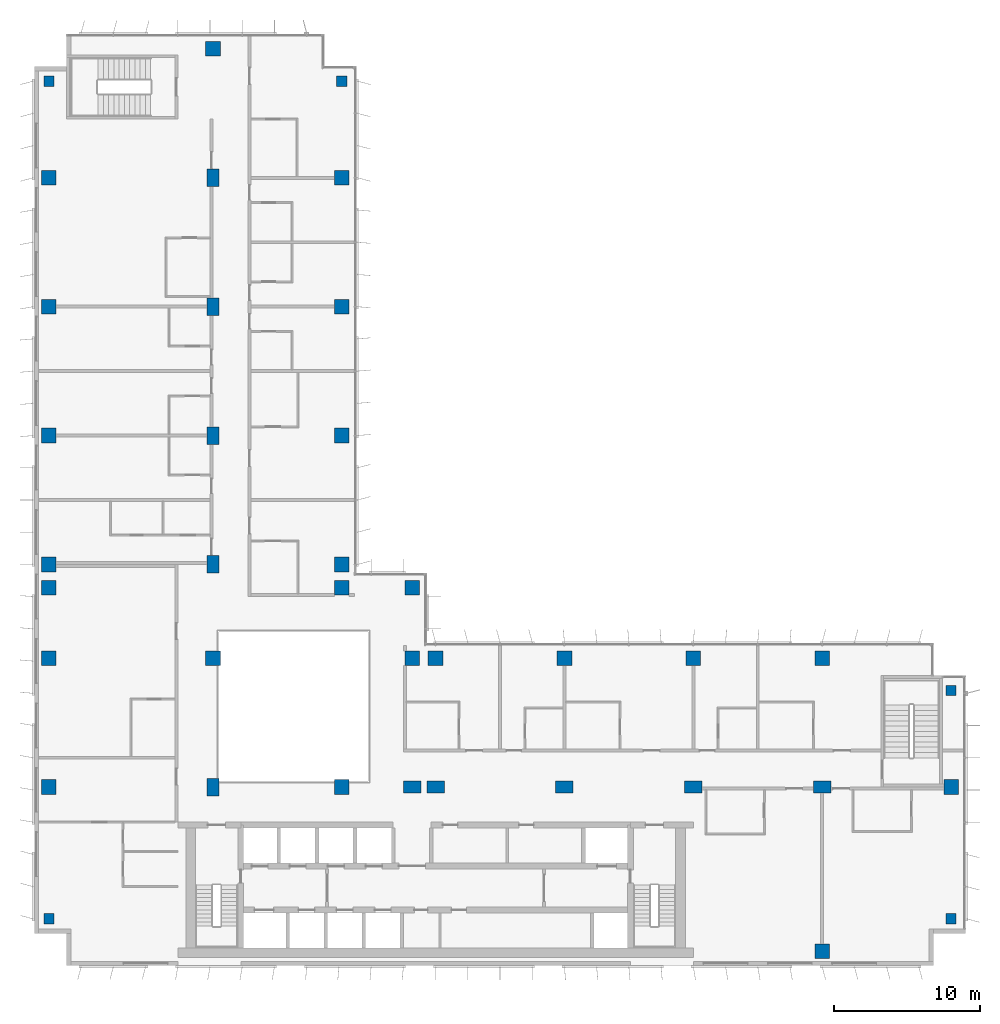
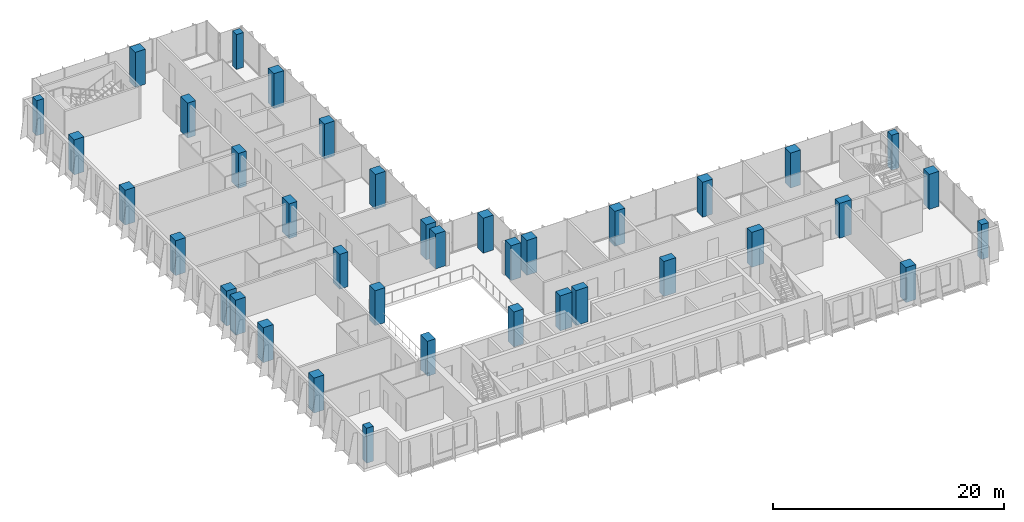
# One storey, part 1 of 21: 38 columns.
"""IFC4 building model written with IfcOpenShell, lengths in metres."""

from ifc_helpers import new_model, si_unit, direction, frame, origin, origin_2d, place, context, subcontext, project, spatial, rectangle, extrude, material, material_profile, profile_set, type_object, element, save


model = new_model("IFC4")

# Units and contexts
model_context = context("Model", 3, precision=1e-05, world=origin(), true_north=direction((0.0, 1.0)))
body_context = subcontext(model_context, "Body", "Model", "MODEL_VIEW")
ifc_project = project(units=[si_unit("LENGTHUNIT", "METRE"), si_unit("AREAUNIT", "SQUARE_METRE"), si_unit("VOLUMEUNIT", "CUBIC_METRE"), si_unit("PLANEANGLEUNIT", "RADIAN"), si_unit("MASSUNIT", "GRAM", prefix="KILO")], contexts=[model_context])

# Site, building, storey
site_placement = place(None, origin())
site = spatial("IfcSite", under=ifc_project, at=site_placement, CompositionType="ELEMENT")
building_placement = place(site_placement, origin())
building = spatial("IfcBuilding", under=site, at=building_placement, Name="Kemantara Hotel Tower", CompositionType="ELEMENT")
storey_placement = place(building_placement, frame((0.0, 0.0, 164.199951171875)))
storey = spatial("IfcBuildingStorey", under=building, at=storey_placement, Name="L40", CompositionType="ELEMENT", Elevation=164.199951171875)

# Columns
ifc_material = material(Name="Concrete fc 60 MPa", Category="concrete")
ifc_material_profile_1 = material_profile(ifc_material, rectangle(XDim=1.0, YDim=1.0, at=origin_2d()), Name="RC 1000X1000")
ifc_profile_set_1 = profile_set([ifc_material_profile_1], Name="Concrete fc 60 MPa")
column_type_1 = type_object("IfcColumnType", Name="RC COLUMN 1000X1000 FC60", PredefinedType="COLUMN", material=ifc_profile_set_1)
for number, where, z_axis, x_axis, name in (
    (1, (1.0, 12.199951171875, 0.0), (0.0, 0.0, 1.0), (1.0, 0.0, 0.0), "COLUMN 1/BA L40"),
    (2, (1.0, 21.0, 0.0), (0.0, 0.0, 1.0), (1.0, 0.0, 0.0), "COLUMN 1/C L40"),
    (3, (1.0, 25.800048828125, 0.0), (0.0, 0.0, 1.0), (1.0, 0.0, 0.0), "COLUMN 1/CA L40"),
    (4, (1.0, 27.39990234375, 0.0), (0.0, 0.0, 1.0), (1.0, 0.0, 0.0), "COLUMN 1/D L40"),
    (5, (1.0, 36.199951171875, 0.0), (0.0, 0.0, 1.0), (1.0, 0.0, 0.0), "COLUMN 1/E L40"),
    (6, (1.0, 45.0, 0.0), (0.0, 0.0, 1.0), (1.0, 0.0, 0.0), "COLUMN 1/F L40"),
    (7, (1.0, 53.800048828125, 0.0), (0.0, 0.0, 1.0), (1.0, 0.0, 0.0), "COLUMN 1/G L40"),
    (8, (12.199951171875, 21.0, 0.0), (0.0, 0.0, 1.0), (1.0, 0.0, 0.0), "COLUMN 2A/C L40"),
    (9, (12.199951171875, 62.60009765625, 0.0), (0.0, 0.0, 1.0), (1.0, 0.0, 0.0), "COLUMN 2A/H L40"),
    (10, (21.0, 12.199951171875, 0.0), (0.0, 0.0, 1.0), (1.0, 0.0, 0.0), "COLUMN 3/BA L40"),
    (11, (21.0, 25.800048828125, 0.0), (0.0, 0.0, 1.0), (1.0, 0.0, 0.0), "COLUMN 3/CA L40"),
    (12, (21.0, 27.39990234375, 0.0), (0.0, 0.0, 1.0), (1.0, 0.0, 0.0), "COLUMN 3/D L40"),
    (13, (21.0, 36.199951171875, 0.0), (0.0, 0.0, 1.0), (1.0, 0.0, 0.0), "COLUMN 3/E L40"),
    (14, (21.0, 45.0, 0.0), (0.0, 0.0, 1.0), (1.0, 0.0, 0.0), "COLUMN 3/F L40"),
    (15, (21.0, 53.800048828125, 0.0), (0.0, 0.0, 1.0), (1.0, 0.0, 0.0), "COLUMN 3/G L40"),
    (16, (25.800048828125, 21.0, 0.0), (0.0, 0.0, 1.0), (1.0, 0.0, 0.0), "COLUMN 3A/C L40"),
    (17, (25.800048828125, 25.800048828125, 0.0), (0.0, 0.0, 1.0), (1.0, 0.0, 0.0), "COLUMN 3A/CA L40"),
    (18, (27.39990234375, 21.0, 0.0), (0.0, 0.0, 1.0), (1.0, 0.0, 0.0), "COLUMN 4/C L40"),
    (19, (36.199951171875, 21.0, 0.0), (0.0, 0.0, 1.0), (1.0, 0.0, 0.0), "COLUMN 5/C L40"),
    (20, (45.0, 21.0, 0.0), (0.0, 0.0, 1.0), (1.0, 0.0, 0.0), "COLUMN 6/C L40"),
    (21, (53.800048828125, 1.0, 0.0), (0.0, 0.0, 1.0), (1.0, 0.0, 0.0), "COLUMN 7/A L40"),
    (22, (53.800048828125, 21.0, 0.0), (0.0, 0.0, 1.0), (1.0, 0.0, 0.0), "COLUMN 7/C L40"),
    (23, (62.60009765625, 12.199951171875, 0.0), (0.0, 0.0, 1.0), (1.0, 0.0, 0.0), "COLUMN 8/BA L40"),
):
    element("IfcColumn", number, at=place(storey_placement, frame(where, z_axis=z_axis, x_axis=x_axis)), inside=storey, type_object=column_type_1, Name=name, PredefinedType="COLUMN", context=body_context, shape_type="SweptSolid", body=[
        extrude(rectangle(XDim=1.0, YDim=1.0, at=origin_2d()), origin(), (0.0, 0.0, 1.0), 3.699951171875),
    ])
ifc_material_profile_2 = material_profile(ifc_material, rectangle(XDim=1.199951171875, YDim=0.800048828125, at=origin_2d()), Name="RC 1200X800")
ifc_profile_set_2 = profile_set([ifc_material_profile_2], Name="Concrete fc 60 MPa")
column_type_2 = type_object("IfcColumnType", Name="RC COLUMN 1200X800 FC60", PredefinedType="COLUMN", material=ifc_profile_set_2)
for number, where, z_axis, x_axis, name in (
    (24, (12.199951171875, 12.199951171875, 0.0), (0.0, 0.0, 1.0), (0.0, 1.0, 0.0), "COLUMN 2A/BA L40"),
    (25, (12.199951171875, 27.39990234375, 0.0), (0.0, 0.0, 1.0), (0.0, 1.0, 0.0), "COLUMN 2A/D L40"),
    (26, (12.199951171875, 36.199951171875, 0.0), (0.0, 0.0, 1.0), (0.0, 1.0, 0.0), "COLUMN 2A/E L40"),
    (27, (12.199951171875, 45.0, 0.0), (0.0, 0.0, 1.0), (0.0, 1.0, 0.0), "COLUMN 2A/F L40"),
    (28, (12.199951171875, 53.800048828125, 0.0), (0.0, 0.0, 1.0), (0.0, 1.0, 0.0), "COLUMN 2A/G L40"),
    (29, (25.800048828125, 12.199951171875, 0.0), (0.0, 0.0, 1.0), (1.0, 0.0, 0.0), "COLUMN 3A/BA L40"),
    (30, (27.39990234375, 12.199951171875, 0.0), (0.0, 0.0, 1.0), (1.0, 0.0, 0.0), "COLUMN 4/BA L40"),
    (31, (36.199951171875, 12.199951171875, 0.0), (0.0, 0.0, 1.0), (1.0, 0.0, 0.0), "COLUMN 5/BA L40"),
    (32, (45.0, 12.199951171875, 0.0), (0.0, 0.0, 1.0), (1.0, 0.0, 0.0), "COLUMN 6/BA L40"),
    (33, (53.800048828125, 12.199951171875, 0.0), (0.0, 0.0, 1.0), (1.0, 0.0, 0.0), "COLUMN 7/BA L40"),
):
    element("IfcColumn", number, at=place(storey_placement, frame(where, z_axis=z_axis, x_axis=x_axis)), inside=storey, type_object=column_type_2, Name=name, PredefinedType="COLUMN", context=body_context, shape_type="SweptSolid", body=[
        extrude(rectangle(XDim=1.199951171875, YDim=0.800048828125, at=origin_2d()), origin(), (0.0, 0.0, 1.0), 3.699951171875),
    ])
ifc_material_profile_3 = material_profile(ifc_material, rectangle(XDim=0.699951171875, YDim=0.699951171875, at=origin_2d()), Name="RC 700X700")
ifc_profile_set_3 = profile_set([ifc_material_profile_3], Name="Concrete fc 60 MPa")
column_type_3 = type_object("IfcColumnType", Name="RC COLUMN 700X700 FC60", PredefinedType="COLUMN", material=ifc_profile_set_3)
for number, where, z_axis, x_axis, name in (
    (34, (1.0, 3.199951171875, 0.0), (0.0, 0.0, 1.0), (1.0, 0.0, 0.0), "COLUMN notch corner L40"),
    (35, (1.0, 60.39990234375, 0.0), (0.0, 0.0, 1.0), (1.0, 0.0, 0.0), "COLUMN notch corner L40"),
    (36, (21.0, 60.39990234375, 0.0), (0.0, 0.0, 1.0), (1.0, 0.0, 0.0), "COLUMN notch corner L40"),
    (37, (62.60009765625, 3.199951171875, 0.0), (0.0, 0.0, 1.0), (1.0, 0.0, 0.0), "COLUMN notch corner L40"),
    (38, (62.60009765625, 18.800048828125, 0.0), (0.0, 0.0, 1.0), (1.0, 0.0, 0.0), "COLUMN notch corner L40"),
):
    element("IfcColumn", number, at=place(storey_placement, frame(where, z_axis=z_axis, x_axis=x_axis)), inside=storey, type_object=column_type_3, Name=name, PredefinedType="COLUMN", context=body_context, shape_type="SweptSolid", body=[
        extrude(rectangle(XDim=0.699951171875, YDim=0.699951171875, at=origin_2d()), origin(), (0.0, 0.0, 1.0), 3.699951171875),
    ])

save(model, "model.ifc")
